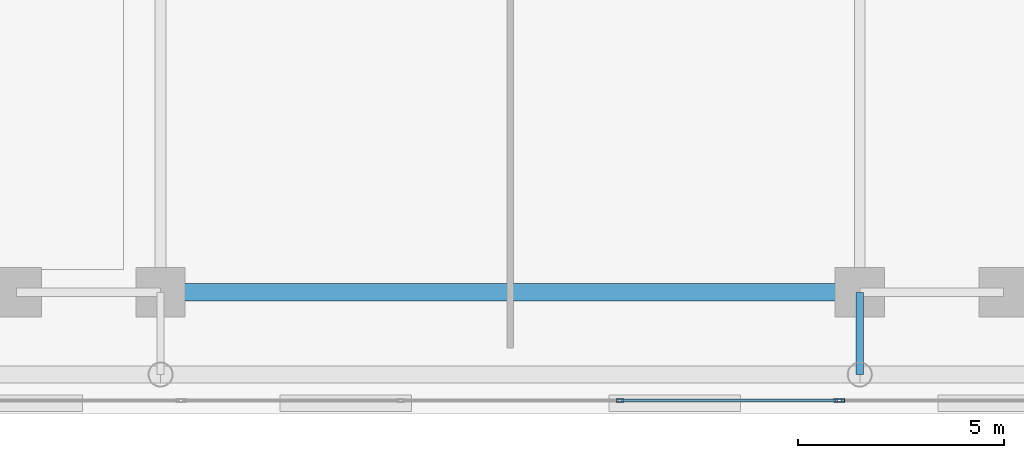
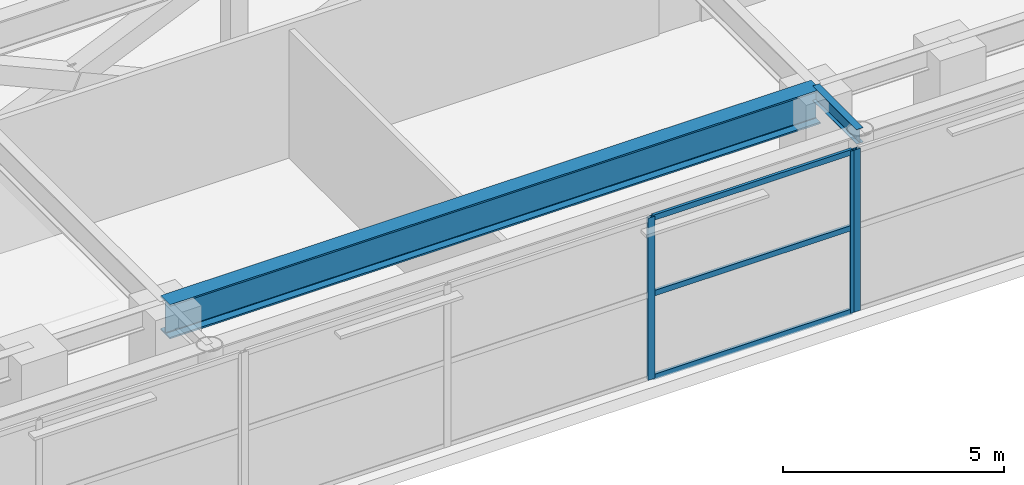
# One storey, part 7 of 28: 6 members, 2 beams, 2 elements without a shape of their own.
"""IFC4 building model written with IfcOpenShell, lengths in metres."""

from ifc_helpers import new_model, si_unit, direction, frame, origin, origin_2d, place, context, subcontext, project, spatial, hollow_rectangle, i_section, extrude, source, transform, mapped, material, layer, layer_set, material_profile, profile_set, type_object, element, aggregate, save


model = new_model("IFC4")

# Units and contexts
model_context = context("Model", 3, precision=1e-05, world=origin(), true_north=direction((0.0, 1.0)))
body_context = subcontext(model_context, "Body", "Model", "MODEL_VIEW")
ifc_project = project(units=[si_unit("LENGTHUNIT", "METRE"), si_unit("AREAUNIT", "SQUARE_METRE"), si_unit("VOLUMEUNIT", "CUBIC_METRE"), si_unit("PLANEANGLEUNIT", "RADIAN"), si_unit("MASSUNIT", "GRAM", prefix="KILO")], contexts=[model_context])

# Site, building, storey
site_placement = place(None, origin())
site = spatial("IfcSite", under=ifc_project, at=site_placement, CompositionType="ELEMENT")
building_placement = place(site_placement, origin())
building = spatial("IfcBuilding", under=site, at=building_placement, Name="Ocotamira Hotel", CompositionType="ELEMENT")
storey_placement = place(building_placement, frame((0.0, 0.0, 24.0)))
storey = spatial("IfcBuildingStorey", under=building, at=storey_placement, Name="L05", CompositionType="ELEMENT", Elevation=24.0)

# Beams
ifc_material_1 = material(Name="Steel ASTM A992 Grade 50", Category="steel")
ifc_material_profile_1 = material_profile(ifc_material_1, i_section(OverallWidth=0.177978515625, OverallDepth=0.403076171875, WebThickness=0.007568359375, FlangeThickness=0.010986328125, FilletRadius=0.010009765625, at=origin_2d()), Name="W16X36")
ifc_profile_set_1 = profile_set([ifc_material_profile_1], Name="Steel ASTM A992 Grade 50")
beam_type_1 = type_object("IfcBeamType", Name="BM-SEC-W16X36", PredefinedType="JOIST", material=ifc_profile_set_1)
shared_shape_1 = source(origin(), body_context, "Body", "SweptSolid", [
    extrude(i_section(OverallWidth=0.177978515625, OverallDepth=0.403076171875, WebThickness=0.007568359375, FlangeThickness=0.010986328125, FilletRadius=0.010009765625, at=origin_2d()), origin(), (0.0, 0.0, 1.0), 2.0),
])
beam_1_placement = place(storey_placement, frame((40.5, 0.949951171875, 4.278564453125), z_axis=(0.0, 1.0, 0.0), x_axis=(-1.0, 0.0, 0.0)))
element("IfcBeam", 1, at=beam_1_placement, inside=storey, type_object=beam_type_1, Name="L05 Beam X40.5 Y0.95-2.95", PredefinedType="JOIST", context=body_context, shape_type="MappedRepresentation", body=[
    mapped(shared_shape_1, transform((0.0, 0.0, 0.0), scale=1.0)),
])
ifc_material_2 = material(Name="Steel ASTM A913 Grade 65", Category="steel")
ifc_material_profile_2 = material_profile(ifc_material_2, i_section(OverallWidth=0.423095703125, OverallDepth=0.947998046875, WebThickness=0.02392578125, FlangeThickness=0.042724609375, FilletRadius=0.02392578125, at=origin_2d()), Name="W36X302")
ifc_profile_set_2 = profile_set([ifc_material_profile_2], Name="Steel ASTM A913 Grade 65")
beam_type_2 = type_object("IfcBeamType", Name="BM-TRUSS-W36X302", PredefinedType="BEAM", material=ifc_profile_set_2)
shared_shape_2 = source(origin(), body_context, "Body", "SweptSolid", [
    extrude(i_section(OverallWidth=0.423095703125, OverallDepth=0.947998046875, WebThickness=0.02392578125, FlangeThickness=0.042724609375, FilletRadius=0.02392578125, at=origin_2d()), origin(), (0.0, 0.0, 1.0), 17.0),
])
beam_2_placement = place(storey_placement, frame((23.5, 2.949951171875, 4.006103515625), z_axis=(1.0, 0.0, 0.0), x_axis=(0.0, 1.0, 0.0)))
element("IfcBeam", 2, at=beam_2_placement, inside=storey, type_object=beam_type_2, Name="L05 Girder Y2.95 X23.5-40.5", PredefinedType="BEAM", context=body_context, shape_type="MappedRepresentation", body=[
    mapped(shared_shape_2, transform((0.0, 0.0, 0.0), scale=1.0)),
])

# Curtain wall, members
ifc_material_3 = material(Name="Anodised pale-metal aluminium and solar glass", Category="aluminium")
ifc_layer = layer(ifc_material_3, 0.219970703125)
ifc_layer_set = layer_set([ifc_layer], Name="Anodised pale-metal aluminium and solar glass")
curtain_wall_type = type_object("IfcCurtainWallType", Name="CW-SYS1-POD", PredefinedType="NOTDEFINED", material=ifc_layer_set)
curtain_wall_1_placement = place(storey_placement, origin())
curtain_wall_1 = element("IfcCurtainWall", 3, at=curtain_wall_1_placement, inside=storey, type_object=curtain_wall_type, Name="L05 Curtain Wall CW-1 CW-L05-S2", PredefinedType="NOTDEFINED")
ifc_material_4 = material(Name="Anodised pale-metal aluminium 6063-T6", Category="aluminium")
ifc_material_profile_3 = material_profile(ifc_material_4, hollow_rectangle(XDim=0.080078125, YDim=0.179931640625, WallThickness=0.006103515625, at=origin_2d()), Name="HSS180X80X6")
ifc_profile_set_3 = profile_set([ifc_material_profile_3], Name="Anodised pale-metal aluminium 6063-T6")
member_type_1 = type_object("IfcMemberType", Name="CWM-180X75", PredefinedType="MULLION", material=ifc_profile_set_3)
shared_shape_3 = source(origin(), body_context, "Body", "SweptSolid", [
    extrude(hollow_rectangle(XDim=0.080078125, YDim=0.179931640625, WallThickness=0.006103515625, at=origin_2d()), origin(), (0.0, 0.0, 1.0), 4.47998046875),
])
member_1_placement = place(storey_placement, frame((34.666748046875, 0.320068359375, 0.0), z_axis=(0.0, 0.0, 1.0), x_axis=(0.0, 1.0, 0.0)))
member_1 = element("IfcMember", 4, at=member_1_placement, type_object=member_type_1, Name="CW-1 mullion 3", PredefinedType="MULLION", context=body_context, shape_type="MappedRepresentation", body=[
    mapped(shared_shape_3, transform((0.0, 0.0, 0.0), scale=1.0)),
])
member_2_placement = place(storey_placement, frame((39.9599609375, 0.320068359375, 0.0), z_axis=(0.0, 0.0, 1.0), x_axis=(0.0, 1.0, 0.0)))
member_2 = element("IfcMember", 5, at=member_2_placement, type_object=member_type_1, Name="CW-1 mullion 4", PredefinedType="MULLION", context=body_context, shape_type="MappedRepresentation", body=[
    mapped(shared_shape_3, transform((0.0, 0.0, 0.0), scale=1.0)),
])

# Curtain wall, member
curtain_wall_2_placement = place(storey_placement, origin())
curtain_wall_2 = element("IfcCurtainWall", 6, at=curtain_wall_2_placement, inside=storey, type_object=curtain_wall_type, Name="L05 Curtain Wall CW-1 CW-L05-S3", PredefinedType="NOTDEFINED")
member_3_placement = place(storey_placement, frame((40.0400390625, 0.320068359375, 0.0), z_axis=(0.0, 0.0, 1.0), x_axis=(0.0, 1.0, 0.0)))
member_3 = element("IfcMember", 7, at=member_3_placement, type_object=member_type_1, Name="CW-1 mullion 1", PredefinedType="MULLION", context=body_context, shape_type="MappedRepresentation", body=[
    mapped(shared_shape_3, transform((0.0, 0.0, 0.0), scale=1.0)),
])
aggregate(curtain_wall_2, [member_3])

# Member
ifc_material_profile_4 = material_profile(ifc_material_4, hollow_rectangle(XDim=0.074951171875, YDim=0.14990234375, WallThickness=0.006103515625, at=origin_2d()), Name="HSS150X75X6")
ifc_profile_set_4 = profile_set([ifc_material_profile_4], Name="Anodised pale-metal aluminium 6063-T6")
member_type_2 = type_object("IfcMemberType", Name="CWT-150X75", PredefinedType="USERDEFINED", material=ifc_profile_set_4)
shared_shape_4 = source(origin(), body_context, "Body", "SweptSolid", [
    extrude(hollow_rectangle(XDim=0.074951171875, YDim=0.14990234375, WallThickness=0.006103515625, at=origin_2d()), origin(), (0.0, 0.0, 1.0), 5.213134765625),
])
member_4_placement = place(storey_placement, frame((34.706787109375, 0.320068359375, 0.03759765625), z_axis=(1.0, 0.0, 0.0), x_axis=(0.0, 1.0, 0.0)))
member_4 = element("IfcMember", 8, at=member_4_placement, type_object=member_type_2, Name="CW-1 transom 3.1", ObjectType="TRANSOM", PredefinedType="USERDEFINED", context=body_context, shape_type="MappedRepresentation", body=[
    mapped(shared_shape_4, transform((0.0, 0.0, 0.0), scale=1.0)),
])

member_5_placement = place(storey_placement, frame((34.706787109375, 0.320068359375, 2.35009765625), z_axis=(1.0, 0.0, 0.0), x_axis=(0.0, 1.0, 0.0)))
member_5 = element("IfcMember", 9, at=member_5_placement, type_object=member_type_2, Name="CW-1 transom 3.2", ObjectType="TRANSOM", PredefinedType="USERDEFINED", context=body_context, shape_type="MappedRepresentation", body=[
    mapped(shared_shape_4, transform((0.0, 0.0, 0.0), scale=1.0)),
])

member_6_placement = place(storey_placement, frame((34.706787109375, 0.320068359375, 4.4423828125), z_axis=(1.0, 0.0, 0.0), x_axis=(0.0, 1.0, 0.0)))
member_6 = element("IfcMember", 10, at=member_6_placement, type_object=member_type_2, Name="CW-1 transom 3.3", ObjectType="TRANSOM", PredefinedType="USERDEFINED", context=body_context, shape_type="MappedRepresentation", body=[
    mapped(shared_shape_4, transform((0.0, 0.0, 0.0), scale=1.0)),
])

aggregate(curtain_wall_1, [member_1, member_2, member_4, member_5, member_6])

save(model, "model.ifc")
